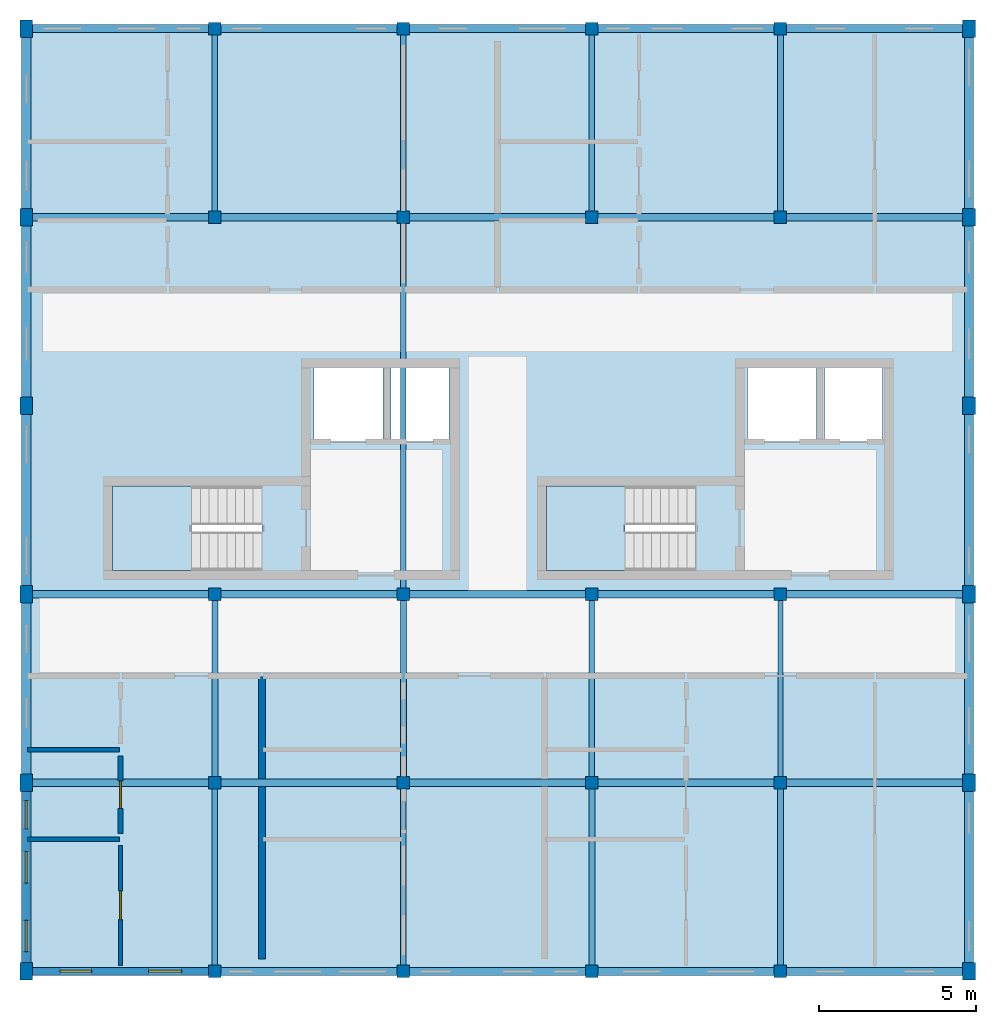
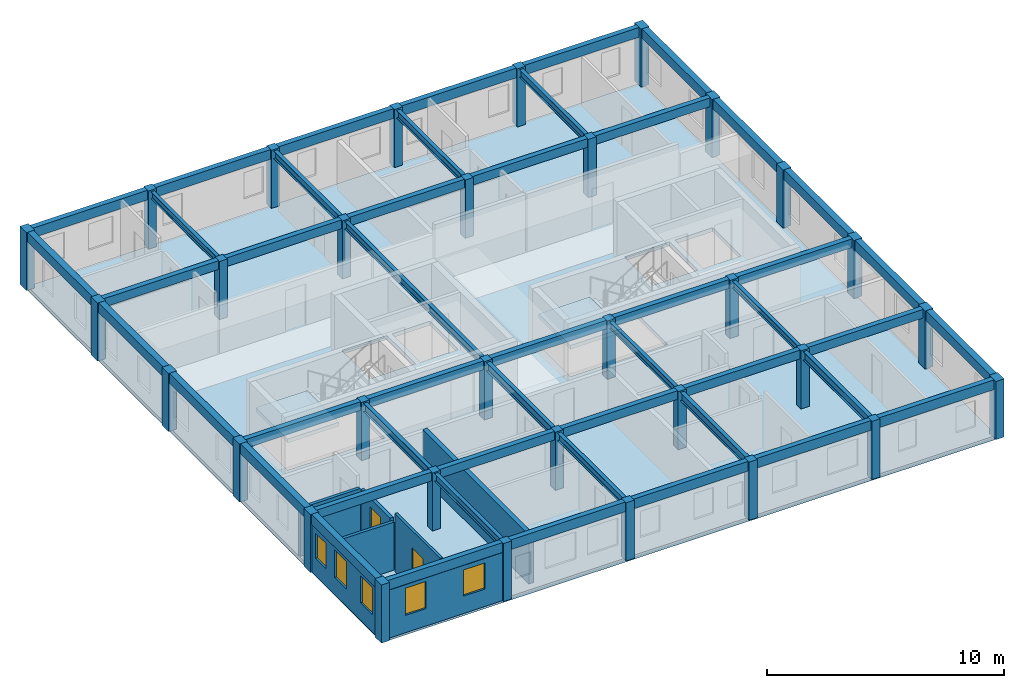
# One storey, part 1 of 7: 48 beams, 32 columns, 7 walls, 5 windows, 3 slabs, 2 doors, 7 openings, 2 elements without a shape of their own.
"""IFC4 building model written with IfcOpenShell, lengths in metres."""

from ifc_helpers import new_model, si_unit, direction, frame, frame_2d, origin, origin_2d, place, context, subcontext, project, spatial, polyline, rectangle, i_section, outline, extrude, material, layer, layer_set, material_profile, profile_set, type_object, element, fill, aggregate, save


model = new_model("IFC4")

# Units and contexts
model_context = context("Model", 3, precision=1e-05, world=origin(), true_north=direction((0.0, 1.0)))
body_context = subcontext(model_context, "Body", "Model", "MODEL_VIEW")
ifc_project = project(units=[si_unit("LENGTHUNIT", "METRE"), si_unit("AREAUNIT", "SQUARE_METRE"), si_unit("VOLUMEUNIT", "CUBIC_METRE"), si_unit("PLANEANGLEUNIT", "RADIAN"), si_unit("MASSUNIT", "GRAM", prefix="KILO"), si_unit("POWERUNIT", "WATT"), si_unit("THERMODYNAMICTEMPERATUREUNIT", "KELVIN")], contexts=[model_context])

# Site, building, storey
site_placement = place(None, origin())
site = spatial("IfcSite", under=ifc_project, at=site_placement, CompositionType="ELEMENT")
building_placement = place(site_placement, origin())
building = spatial("IfcBuilding", under=site, at=building_placement, Name="Ruvembo Vaulted Housing Court", CompositionType="ELEMENT")
storey_placement = place(building_placement, frame((0.0, 0.0, 39.699951171875)))
storey = spatial("IfcBuildingStorey", under=building, at=storey_placement, Name="L12", CompositionType="ELEMENT", Elevation=39.699951171875)

# Columns
ifc_material_1 = material(Name="Concrete C35/45", Category="concrete")
ifc_material_profile_1 = material_profile(ifc_material_1, rectangle(XDim=0.39990234375, YDim=0.39990234375, at=origin_2d()), Name="RC 400x400")
ifc_profile_set_1 = profile_set([ifc_material_profile_1], Name="Concrete C35/45")
column_type_1 = type_object("IfcColumnType", Name="COL-RC-400", PredefinedType="COLUMN", material=ifc_profile_set_1)
for number, where, z_axis, x_axis, name in (
    (1, (6.0, 6.0, 0.0), (0.0, 0.0, 1.0), (1.0, 0.0, 0.0), "L12 Column (6,6)"),
    (2, (6.0, 12.0, 0.0), (0.0, 0.0, 1.0), (1.0, 0.0, 0.0), "L12 Column (6,12)"),
    (3, (6.0, 18.0, 0.0), (0.0, 0.0, 1.0), (1.0, 0.0, 0.0), "L12 Column (6,18)"),
    (4, (6.0, 30.0, 0.0), (0.0, 0.0, 1.0), (1.0, 0.0, 0.0), "L12 Column (6,30)"),
    (5, (6.0, 36.0, 0.0), (0.0, 0.0, 1.0), (1.0, 0.0, 0.0), "L12 Column (6,36)"),
    (6, (12.0, 6.0, 0.0), (0.0, 0.0, 1.0), (1.0, 0.0, 0.0), "L12 Column (12,6)"),
    (7, (12.0, 12.0, 0.0), (0.0, 0.0, 1.0), (1.0, 0.0, 0.0), "L12 Column (12,12)"),
    (8, (12.0, 18.0, 0.0), (0.0, 0.0, 1.0), (1.0, 0.0, 0.0), "L12 Column (12,18)"),
    (9, (12.0, 30.0, 0.0), (0.0, 0.0, 1.0), (1.0, 0.0, 0.0), "L12 Column (12,30)"),
    (10, (12.0, 36.0, 0.0), (0.0, 0.0, 1.0), (1.0, 0.0, 0.0), "L12 Column (12,36)"),
    (11, (18.0, 6.0, 0.0), (0.0, 0.0, 1.0), (1.0, 0.0, 0.0), "L12 Column (18,6)"),
    (12, (18.0, 12.0, 0.0), (0.0, 0.0, 1.0), (1.0, 0.0, 0.0), "L12 Column (18,12)"),
    (13, (18.0, 18.0, 0.0), (0.0, 0.0, 1.0), (1.0, 0.0, 0.0), "L12 Column (18,18)"),
    (14, (18.0, 30.0, 0.0), (0.0, 0.0, 1.0), (1.0, 0.0, 0.0), "L12 Column (18,30)"),
    (15, (18.0, 36.0, 0.0), (0.0, 0.0, 1.0), (1.0, 0.0, 0.0), "L12 Column (18,36)"),
    (16, (24.0, 6.0, 0.0), (0.0, 0.0, 1.0), (1.0, 0.0, 0.0), "L12 Column (24,6)"),
    (17, (24.0, 12.0, 0.0), (0.0, 0.0, 1.0), (1.0, 0.0, 0.0), "L12 Column (24,12)"),
    (18, (24.0, 18.0, 0.0), (0.0, 0.0, 1.0), (1.0, 0.0, 0.0), "L12 Column (24,18)"),
    (19, (24.0, 30.0, 0.0), (0.0, 0.0, 1.0), (1.0, 0.0, 0.0), "L12 Column (24,30)"),
    (20, (24.0, 36.0, 0.0), (0.0, 0.0, 1.0), (1.0, 0.0, 0.0), "L12 Column (24,36)"),
):
    element("IfcColumn", number, at=place(storey_placement, frame(where, z_axis=z_axis, x_axis=x_axis)), inside=storey, type_object=column_type_1, Name=name, PredefinedType="COLUMN", context=body_context, shape_type="SweptSolid", body=[
        extrude(rectangle(XDim=0.39990234375, YDim=0.39990234375, at=origin_2d()), origin(), (0.0, 0.0, 1.0), 3.0),
    ])
ifc_material_profile_2 = material_profile(ifc_material_1, rectangle(XDim=0.39990234375, YDim=0.550048828125, at=origin_2d()), Name="RC 400x550")
ifc_profile_set_2 = profile_set([ifc_material_profile_2], Name="Concrete C35/45")
column_type_2 = type_object("IfcColumnType", Name="COL-RC-400x550", PredefinedType="COLUMN", material=ifc_profile_set_2)
for number, where, z_axis, x_axis, name in (
    (21, (0.0, 6.0, 0.0), (0.0, 0.0, 1.0), (1.0, 0.0, 0.0), "L12 Column (0,6)"),
    (22, (0.0, 12.0, 0.0), (0.0, 0.0, 1.0), (1.0, 0.0, 0.0), "L12 Column (0,12)"),
    (23, (0.0, 18.0, 0.0), (0.0, 0.0, 1.0), (1.0, 0.0, 0.0), "L12 Column (0,18)"),
    (24, (0.0, 24.0, 0.0), (0.0, 0.0, 1.0), (1.0, 0.0, 0.0), "L12 Column (0,24)"),
    (25, (0.0, 30.0, 0.0), (0.0, 0.0, 1.0), (1.0, 0.0, 0.0), "L12 Column (0,30)"),
    (26, (0.0, 36.0, 0.0), (0.0, 0.0, 1.0), (1.0, 0.0, 0.0), "L12 Column (0,36)"),
    (27, (30.0, 6.0, 0.0), (0.0, 0.0, 1.0), (1.0, 0.0, 0.0), "L12 Column (30,6)"),
    (28, (30.0, 12.0, 0.0), (0.0, 0.0, 1.0), (1.0, 0.0, 0.0), "L12 Column (30,12)"),
    (29, (30.0, 18.0, 0.0), (0.0, 0.0, 1.0), (1.0, 0.0, 0.0), "L12 Column (30,18)"),
    (30, (30.0, 24.0, 0.0), (0.0, 0.0, 1.0), (1.0, 0.0, 0.0), "L12 Column (30,24)"),
    (31, (30.0, 30.0, 0.0), (0.0, 0.0, 1.0), (1.0, 0.0, 0.0), "L12 Column (30,30)"),
    (32, (30.0, 36.0, 0.0), (0.0, 0.0, 1.0), (1.0, 0.0, 0.0), "L12 Column (30,36)"),
):
    element("IfcColumn", number, at=place(storey_placement, frame(where, z_axis=z_axis, x_axis=x_axis)), inside=storey, type_object=column_type_2, Name=name, PredefinedType="COLUMN", context=body_context, shape_type="SweptSolid", body=[
        extrude(rectangle(XDim=0.39990234375, YDim=0.550048828125, at=origin_2d()), origin(), (0.0, 0.0, 1.0), 3.0),
    ])

# Beams
ifc_material_2 = material(Name="Concrete C30/37", Category="concrete")
ifc_material_profile_3 = material_profile(ifc_material_2, rectangle(XDim=0.25, YDim=0.449951171875, at=origin_2d()), Name="RC 250x450")
ifc_profile_set_3 = profile_set([ifc_material_profile_3], Name="Concrete C30/37")
beam_type_1 = type_object("IfcBeamType", Name="BM-RC-250x450", PredefinedType="BEAM", material=ifc_profile_set_3)
for number, where, z_axis, x_axis, name in (
    (33, (0.18505859375, 12.0, 2.775146484375), (1.0, 0.0, 0.0), (0.0, 1.0, 0.0), "L12 Grid Beam X #3390"),
    (34, (6.18505859375, 12.0, 2.775146484375), (1.0, 0.0, 0.0), (0.0, 1.0, 0.0), "L12 Grid Beam X #3391"),
    (35, (12.18505859375, 12.0, 2.775146484375), (1.0, 0.0, 0.0), (0.0, 1.0, 0.0), "L12 Grid Beam X #3392"),
    (36, (18.18505859375, 12.0, 2.775146484375), (1.0, 0.0, 0.0), (0.0, 1.0, 0.0), "L12 Grid Beam X #3393"),
    (37, (24.18505859375, 12.0, 2.775146484375), (1.0, 0.0, 0.0), (0.0, 1.0, 0.0), "L12 Grid Beam X #3394"),
    (38, (0.18505859375, 18.0, 2.775146484375), (1.0, 0.0, 0.0), (0.0, 1.0, 0.0), "L12 Grid Beam X #3395"),
    (39, (6.18505859375, 18.0, 2.775146484375), (1.0, 0.0, 0.0), (0.0, 1.0, 0.0), "L12 Grid Beam X #3396"),
    (40, (12.18505859375, 18.0, 2.775146484375), (1.0, 0.0, 0.0), (0.0, 1.0, 0.0), "L12 Grid Beam X #3397"),
    (41, (18.18505859375, 18.0, 2.775146484375), (1.0, 0.0, 0.0), (0.0, 1.0, 0.0), "L12 Grid Beam X #3398"),
    (42, (24.18505859375, 18.0, 2.775146484375), (1.0, 0.0, 0.0), (0.0, 1.0, 0.0), "L12 Grid Beam X #3399"),
    (43, (0.18505859375, 30.0, 2.775146484375), (1.0, 0.0, 0.0), (0.0, 1.0, 0.0), "L12 Grid Beam X #3400"),
    (44, (6.18505859375, 30.0, 2.775146484375), (1.0, 0.0, 0.0), (0.0, 1.0, 0.0), "L12 Grid Beam X #3401"),
    (45, (12.18505859375, 30.0, 2.775146484375), (1.0, 0.0, 0.0), (0.0, 1.0, 0.0), "L12 Grid Beam X #3402"),
    (46, (18.18505859375, 30.0, 2.775146484375), (1.0, 0.0, 0.0), (0.0, 1.0, 0.0), "L12 Grid Beam X #3403"),
    (47, (24.18505859375, 30.0, 2.775146484375), (1.0, 0.0, 0.0), (0.0, 1.0, 0.0), "L12 Grid Beam X #3404"),
):
    element("IfcBeam", number, at=place(storey_placement, frame(where, z_axis=z_axis, x_axis=x_axis)), inside=storey, type_object=beam_type_1, Name=name, PredefinedType="BEAM", context=body_context, shape_type="SweptSolid", body=[
        extrude(rectangle(XDim=0.25, YDim=0.449951171875, at=origin_2d()), origin(), (0.0, 0.0, 1.0), 5.6298828125),
    ])
ifc_material_profile_4 = material_profile(ifc_material_2, rectangle(XDim=0.25, YDim=0.5, at=origin_2d()), Name="RC 250x500")
ifc_profile_set_4 = profile_set([ifc_material_profile_4], Name="Concrete C30/37")
beam_type_2 = type_object("IfcBeamType", Name="BM-RC-250x500", PredefinedType="BEAM", material=ifc_profile_set_4)
for number, where, z_axis, x_axis, name in (
    (48, (0.18505859375, 6.0, 2.75), (1.0, 0.0, 0.0), (0.0, 1.0, 0.0), "L12 Grid Beam X #3385"),
    (49, (6.18505859375, 6.0, 2.75), (1.0, 0.0, 0.0), (0.0, 1.0, 0.0), "L12 Grid Beam X #3386"),
    (50, (12.18505859375, 6.0, 2.75), (1.0, 0.0, 0.0), (0.0, 1.0, 0.0), "L12 Grid Beam X #3387"),
    (51, (18.18505859375, 6.0, 2.75), (1.0, 0.0, 0.0), (0.0, 1.0, 0.0), "L12 Grid Beam X #3388"),
    (52, (24.18505859375, 6.0, 2.75), (1.0, 0.0, 0.0), (0.0, 1.0, 0.0), "L12 Grid Beam X #3389"),
    (53, (0.18505859375, 36.0, 2.75), (1.0, 0.0, 0.0), (0.0, 1.0, 0.0), "L12 Grid Beam X #3405"),
    (54, (6.18505859375, 36.0, 2.75), (1.0, 0.0, 0.0), (0.0, 1.0, 0.0), "L12 Grid Beam X #3406"),
    (55, (12.18505859375, 36.0, 2.75), (1.0, 0.0, 0.0), (0.0, 1.0, 0.0), "L12 Grid Beam X #3407"),
    (56, (18.18505859375, 36.0, 2.75), (1.0, 0.0, 0.0), (0.0, 1.0, 0.0), "L12 Grid Beam X #3408"),
    (57, (24.18505859375, 36.0, 2.75), (1.0, 0.0, 0.0), (0.0, 1.0, 0.0), "L12 Grid Beam X #3409"),
):
    element("IfcBeam", number, at=place(storey_placement, frame(where, z_axis=z_axis, x_axis=x_axis)), inside=storey, type_object=beam_type_2, Name=name, PredefinedType="BEAM", context=body_context, shape_type="SweptSolid", body=[
        extrude(rectangle(XDim=0.25, YDim=0.5, at=origin_2d()), origin(), (0.0, 0.0, 1.0), 5.6298828125),
    ])
ifc_material_3 = material(Name="Steel S355J2", Category="steel")
ifc_material_profile_5 = material_profile(ifc_material_3, i_section(OverallWidth=0.169921875, OverallDepth=0.360107421875, WebThickness=0.008056640625, FlangeThickness=0.0126953125, FilletRadius=0.01806640625, at=origin_2d()), Name="IPE 360")
ifc_profile_set_5 = profile_set([ifc_material_profile_5], Name="Steel S355J2")
beam_type_3 = type_object("IfcBeamType", Name="BM-ST-IPE360", PredefinedType="BEAM", material=ifc_profile_set_5)
for number, where, z_axis, x_axis, name in (
    (58, (6.0, 30.18505859375, 2.74609375), (0.0, 1.0, 0.0), (-1.0, 0.0, 0.0), "L12 Grid Beam Y #3417"),
    (59, (18.0, 12.18505859375, 2.74609375), (0.0, 1.0, 0.0), (-1.0, 0.0, 0.0), "L12 Grid Beam Y #3423"),
    (60, (24.0, 12.18505859375, 2.74609375), (0.0, 1.0, 0.0), (-1.0, 0.0, 0.0), "L12 Grid Beam Y #3426"),
):
    element("IfcBeam", number, at=place(storey_placement, frame(where, z_axis=z_axis, x_axis=x_axis)), inside=storey, type_object=beam_type_3, Name=name, PredefinedType="BEAM", context=body_context, shape_type="SweptSolid", body=[
        extrude(i_section(OverallWidth=0.169921875, OverallDepth=0.360107421875, WebThickness=0.008056640625, FlangeThickness=0.0126953125, FilletRadius=0.01806640625, at=origin_2d()), origin(), (0.0, 0.0, 1.0), 5.6298828125),
    ])
ifc_material_profile_6 = material_profile(ifc_material_3, i_section(OverallWidth=0.179931640625, OverallDepth=0.39990234375, WebThickness=0.008544921875, FlangeThickness=0.013427734375, FilletRadius=0.02099609375, at=origin_2d()), Name="IPE 400")
ifc_profile_set_6 = profile_set([ifc_material_profile_6], Name="Steel S355J2")
beam_type_4 = type_object("IfcBeamType", Name="BM-ST-IPE400", PredefinedType="BEAM", material=ifc_profile_set_6)
for number, where, z_axis, x_axis, name in (
    (61, (6.0, 6.18505859375, 2.72607421875), (0.0, 1.0, 0.0), (-1.0, 0.0, 0.0), "L12 Grid Beam Y #3415"),
    (62, (12.0, 6.18505859375, 2.72607421875), (0.0, 1.0, 0.0), (-1.0, 0.0, 0.0), "L12 Grid Beam Y #3418"),
):
    element("IfcBeam", number, at=place(storey_placement, frame(where, z_axis=z_axis, x_axis=x_axis)), inside=storey, type_object=beam_type_4, Name=name, PredefinedType="BEAM", context=body_context, shape_type="SweptSolid", body=[
        extrude(i_section(OverallWidth=0.179931640625, OverallDepth=0.39990234375, WebThickness=0.008544921875, FlangeThickness=0.013427734375, FilletRadius=0.02099609375, at=origin_2d()), origin(), (0.0, 0.0, 1.0), 5.6298828125),
    ])
beam_placement = place(storey_placement, frame((12.0, 18.18505859375, 2.72607421875), z_axis=(0.0, 1.0, 0.0), x_axis=(-1.0, 0.0, 0.0)))
element("IfcBeam", 63, at=beam_placement, inside=storey, type_object=beam_type_4, Name="L12 Grid Beam Y #3420", PredefinedType="BEAM", context=body_context, shape_type="SweptSolid", body=[
    extrude(i_section(OverallWidth=0.179931640625, OverallDepth=0.39990234375, WebThickness=0.008544921875, FlangeThickness=0.013427734375, FilletRadius=0.02099609375, at=origin_2d()), origin(), (0.0, 0.0, 1.0), 11.6298828125),
])
for number, where, z_axis, x_axis, name in (
    (64, (12.0, 30.18505859375, 2.72607421875), (0.0, 1.0, 0.0), (-1.0, 0.0, 0.0), "L12 Grid Beam Y #3421"),
    (65, (18.0, 30.18505859375, 2.72607421875), (0.0, 1.0, 0.0), (-1.0, 0.0, 0.0), "L12 Grid Beam Y #3424"),
    (66, (24.0, 30.18505859375, 2.72607421875), (0.0, 1.0, 0.0), (-1.0, 0.0, 0.0), "L12 Grid Beam Y #3427"),
):
    element("IfcBeam", number, at=place(storey_placement, frame(where, z_axis=z_axis, x_axis=x_axis)), inside=storey, type_object=beam_type_4, Name=name, PredefinedType="BEAM", context=body_context, shape_type="SweptSolid", body=[
        extrude(i_section(OverallWidth=0.179931640625, OverallDepth=0.39990234375, WebThickness=0.008544921875, FlangeThickness=0.013427734375, FilletRadius=0.02099609375, at=origin_2d()), origin(), (0.0, 0.0, 1.0), 5.6298828125),
    ])
ifc_material_profile_7 = material_profile(ifc_material_3, i_section(OverallWidth=0.18994140625, OverallDepth=0.449951171875, WebThickness=0.009521484375, FlangeThickness=0.0146484375, FilletRadius=0.02099609375, at=origin_2d()), Name="IPE 450")
ifc_profile_set_7 = profile_set([ifc_material_profile_7], Name="Steel S355J2")
beam_type_5 = type_object("IfcBeamType", Name="BM-ST-IPE450", PredefinedType="BEAM", material=ifc_profile_set_7)
for number, where, z_axis, x_axis, name in (
    (67, (6.0, 12.18505859375, 2.700927734375), (0.0, 1.0, 0.0), (-1.0, 0.0, 0.0), "L12 Grid Beam Y #3416"),
    (68, (12.0, 12.18505859375, 2.700927734375), (0.0, 1.0, 0.0), (-1.0, 0.0, 0.0), "L12 Grid Beam Y #3419"),
    (69, (18.0, 6.18505859375, 2.700927734375), (0.0, 1.0, 0.0), (-1.0, 0.0, 0.0), "L12 Grid Beam Y #3422"),
    (70, (24.0, 6.18505859375, 2.700927734375), (0.0, 1.0, 0.0), (-1.0, 0.0, 0.0), "L12 Grid Beam Y #3425"),
):
    element("IfcBeam", number, at=place(storey_placement, frame(where, z_axis=z_axis, x_axis=x_axis)), inside=storey, type_object=beam_type_5, Name=name, PredefinedType="BEAM", context=body_context, shape_type="SweptSolid", body=[
        extrude(i_section(OverallWidth=0.18994140625, OverallDepth=0.449951171875, WebThickness=0.009521484375, FlangeThickness=0.0146484375, FilletRadius=0.02099609375, at=origin_2d()), origin(), (0.0, 0.0, 1.0), 5.6298828125),
    ])
ifc_material_profile_8 = material_profile(ifc_material_1, rectangle(XDim=0.300048828125, YDim=0.5, at=origin_2d()), Name="RC 300x500")
ifc_profile_set_8 = profile_set([ifc_material_profile_8], Name="Concrete C35/45")
beam_type_6 = type_object("IfcBeamType", Name="SP-RC-300x500", PredefinedType="SPANDREL", material=ifc_profile_set_8)
for number, where, z_axis, x_axis, name in (
    (71, (0.0, 6.260009765625, 2.75), (0.0, 1.0, 0.0), (-1.0, 0.0, 0.0), "L12 Grid Beam Y #3410"),
    (72, (0.0, 12.260009765625, 2.75), (0.0, 1.0, 0.0), (-1.0, 0.0, 0.0), "L12 Grid Beam Y #3411"),
    (73, (0.0, 18.260009765625, 2.75), (0.0, 1.0, 0.0), (-1.0, 0.0, 0.0), "L12 Grid Beam Y #3412"),
    (74, (0.0, 24.260009765625, 2.75), (0.0, 1.0, 0.0), (-1.0, 0.0, 0.0), "L12 Grid Beam Y #3413"),
    (75, (0.0, 30.260009765625, 2.75), (0.0, 1.0, 0.0), (-1.0, 0.0, 0.0), "L12 Grid Beam Y #3414"),
    (76, (30.0, 6.260009765625, 2.75), (0.0, 1.0, 0.0), (-1.0, 0.0, 0.0), "L12 Grid Beam Y #3428"),
    (77, (30.0, 12.260009765625, 2.75), (0.0, 1.0, 0.0), (-1.0, 0.0, 0.0), "L12 Grid Beam Y #3429"),
    (78, (30.0, 18.260009765625, 2.75), (0.0, 1.0, 0.0), (-1.0, 0.0, 0.0), "L12 Grid Beam Y #3430"),
    (79, (30.0, 24.260009765625, 2.75), (0.0, 1.0, 0.0), (-1.0, 0.0, 0.0), "L12 Grid Beam Y #3431"),
    (80, (30.0, 30.260009765625, 2.75), (0.0, 1.0, 0.0), (-1.0, 0.0, 0.0), "L12 Grid Beam Y #3432"),
):
    element("IfcBeam", number, at=place(storey_placement, frame(where, z_axis=z_axis, x_axis=x_axis)), inside=storey, type_object=beam_type_6, Name=name, PredefinedType="SPANDREL", context=body_context, shape_type="SweptSolid", body=[
        extrude(rectangle(XDim=0.300048828125, YDim=0.5, at=origin_2d()), origin(), (0.0, 0.0, 1.0), 5.47998046875),
    ])

# Slab
ifc_layer_1 = layer(ifc_material_2, 0.205078125, Name="Concrete C30/37")
ifc_layer_set_1 = layer_set([ifc_layer_1], Name="Concrete C30/37")
slab_type_1 = type_object("IfcSlabType", Name="SL-FLR-205", PredefinedType="FLOOR", material=ifc_layer_set_1)
slab_1_placement = place(storey_placement, frame((0.0, 0.0, -0.204833984375)))
element("IfcSlab", 81, at=slab_1_placement, inside=storey, type_object=slab_type_1, Name="Block A L12 Structural Floor Slab", PredefinedType="FLOOR", context=body_context, shape_type="SweptSolid", body=[
    extrude(outline(polyline([(30.0, 6.0), (30.0, 36.0), (0.0, 36.0), (0.0, 6.0), (30.0, 6.0)]), holes=[polyline([(7.5, 21.449951171875), (2.75, 21.449951171875), (2.75, 18.75), (7.5, 18.75), (7.5, 21.449951171875)]), polyline([(9.14990234375, 22.85009765625), (11.35009765625, 22.85009765625), (11.35009765625, 25.25), (9.14990234375, 25.25), (9.14990234375, 22.85009765625)]), polyline([(11.60009765625, 22.85009765625), (13.449951171875, 22.85009765625), (13.449951171875, 25.25), (11.60009765625, 25.25), (11.60009765625, 22.85009765625)]), polyline([(21.300048828125, 21.449951171875), (16.550048828125, 21.449951171875), (16.550048828125, 18.75), (21.300048828125, 18.75), (21.300048828125, 21.449951171875)]), polyline([(22.949951171875, 22.85009765625), (25.14990234375, 22.85009765625), (25.14990234375, 25.25), (22.949951171875, 25.25), (22.949951171875, 22.85009765625)]), polyline([(25.39990234375, 22.85009765625), (27.25, 22.85009765625), (27.25, 25.25), (25.39990234375, 25.25), (25.39990234375, 22.85009765625)])]), origin(), (0.0, 0.0, 1.0), 0.204833984375),
])

# Stair, slab
stair_type = type_object("IfcStairType", Name="STR-CORE-1250", PredefinedType="HALF_TURN_STAIR", material=ifc_material_1)
stair_1_placement = place(storey_placement, origin())
stair_1 = element("IfcStair", 82, at=stair_1_placement, inside=storey, type_object=stair_type, Name="L12 Protected Exit Stair ST-A1", PredefinedType="HALF_TURN_STAIR")
ifc_layer_2 = layer(ifc_material_2, 0.201904296875, Name="Concrete C30/37")
ifc_layer_set_2 = layer_set([ifc_layer_2], Name="Concrete C30/37")
slab_type_2 = type_object("IfcSlabType", Name="SL-LAND-202", PredefinedType="LANDING", material=ifc_layer_set_2)
slab_2_placement = place(storey_placement, frame((0.0, 0.0, 1.400146484375)))
slab_2 = element("IfcSlab", 83, at=slab_2_placement, type_object=slab_type_2, Name="ST-A1 landing 1", PredefinedType="LANDING", context=body_context, shape_type="SweptSolid", body=[
    extrude(outline(polyline([(5.260009765625, 21.449951171875), (2.75, 21.449951171875), (2.75, 18.75), (5.260009765625, 18.75), (5.260009765625, 21.449951171875)])), origin(), (0.0, 0.0, 1.0), 0.199951171875),
])
aggregate(stair_1, [slab_2])

stair_2_placement = place(storey_placement, origin())
stair_2 = element("IfcStair", 84, at=stair_2_placement, inside=storey, type_object=stair_type, Name="L12 Protected Exit Stair ST-A2", PredefinedType="HALF_TURN_STAIR")
slab_3_placement = place(storey_placement, frame((0.0, 0.0, 1.400146484375)))
slab_3 = element("IfcSlab", 85, at=slab_3_placement, type_object=slab_type_2, Name="ST-A2 landing 1", PredefinedType="LANDING", context=body_context, shape_type="SweptSolid", body=[
    extrude(outline(polyline([(19.06005859375, 21.449951171875), (16.550048828125, 21.449951171875), (16.550048828125, 18.75), (19.06005859375, 18.75), (19.06005859375, 21.449951171875)])), origin(), (0.0, 0.0, 1.0), 0.199951171875),
])
aggregate(stair_2, [slab_3])

# Wall
ifc_material_4 = material(Name="Acoustic Masonry Demising 220", Category="masonry")
ifc_layer_3 = layer(ifc_material_4, 0.219970703125, Name="Acoustic Masonry Demising 220")
ifc_layer_set_3 = layer_set([ifc_layer_3], Name="Acoustic Masonry Demising 220")
wall_type_1 = type_object("IfcWallType", Name="WL-DEM-200", PredefinedType="SOLIDWALL", material=ifc_layer_set_3)
wall_1_placement = place(storey_placement, frame((7.5, 6.389892578125, 0.0), z_axis=(0.0, 0.0, 1.0), x_axis=(0.0, 1.0, 0.0)))
element("IfcWall", 86, at=wall_1_placement, inside=storey, type_object=wall_type_1, Name="L12 Demising A-L12-S1 WL-INT-L12-02306", PredefinedType="SOLIDWALL", context=body_context, shape_type="SweptSolid", body=[
    extrude(rectangle(XDim=8.97021484375, YDim=0.219970703125, at=frame_2d((4.485107421875, 0.0))), origin(), (0.0, 0.0, 1.0), 2.531982421875),
])

# Wall, openings, windows
ifc_material_5 = material(Name="Rendered Masonry 235", Category="masonry")
ifc_layer_4 = layer(ifc_material_5, 0.235107421875, Name="Rendered Masonry 235")
ifc_layer_set_4 = layer_set([ifc_layer_4], Name="Rendered Masonry 235")
wall_type_2 = type_object("IfcWallType", Name="WL-EXT-235", PredefinedType="STANDARD", material=ifc_layer_set_4)
wall_2_placement = place(storey_placement, frame((0.199951171875, 6.0, 0.0), z_axis=(0.0, 0.0, 1.0), x_axis=(1.0, 0.0, 0.0)))
wall_2 = element("IfcWall", 87, at=wall_2_placement, inside=storey, type_object=wall_type_2, Name="Block A L12 Exterior Wall STREET #1", PredefinedType="STANDARD", context=body_context, shape_type="SweptSolid", body=[
    extrude(rectangle(XDim=5.60009765625, YDim=0.235107421875, at=frame_2d((2.800048828125, 0.0))), origin(), (0.0, 0.0, 1.0), 2.48193359375),
])
opening_1_placement = place(wall_2_placement, frame((0.8798828125, 0.0, 0.89990234375)))
opening_1 = element("IfcOpeningElement", 88, at=opening_1_placement, cuts=wall_2, Name="Opening W08", PredefinedType="OPENING", context=body_context, shape_type="SweptSolid", body=[
    extrude(rectangle(XDim=1.0, YDim=1.39990234375, at=frame_2d((0.5, 0.699951171875))), frame((0.0, 0.12744140625, 0.0), z_axis=(0.0, -1.0, 0.0), x_axis=(1.0, 0.0, 0.0)), (0.0, 0.0, 1.0), 0.255126953125),
])
opening_2_placement = place(wall_2_placement, frame((3.695068359375, 0.0, 0.89990234375)))
opening_2 = element("IfcOpeningElement", 89, at=opening_2_placement, cuts=wall_2, Name="Opening W09", PredefinedType="OPENING", context=body_context, shape_type="SweptSolid", body=[
    extrude(rectangle(XDim=1.050048828125, YDim=1.35009765625, at=frame_2d((0.52490234375, 0.675048828125))), frame((0.0, 0.12744140625, 0.0), z_axis=(0.0, -1.0, 0.0), x_axis=(1.0, 0.0, 0.0)), (0.0, 0.0, 1.0), 0.255126953125),
])
ifc_material_6 = material(Name="Double Solar-Control Glazing in Aluminium Frame", Category="aluminium")
window_type_1 = type_object("IfcWindowType", Name="WIN-1000x1400", PartitioningType="SINGLE_PANEL", PredefinedType="WINDOW", material=ifc_material_6)
window_1_placement = place(opening_1_placement, origin())
window_1 = element("IfcWindow", 90, at=window_1_placement, inside=storey, type_object=window_type_1, Name="Block A L12 Window #512", OverallHeight=1.39990234375, OverallWidth=1.0, PartitioningType="SINGLE_PANEL", PredefinedType="WINDOW", context=body_context, shape_type="SweptSolid", body=[
    extrude(rectangle(XDim=1.0, YDim=1.39990234375, at=frame_2d((0.5, 0.699951171875))), frame((0.0, 0.030029296875, 0.0), z_axis=(0.0, -1.0, 0.0), x_axis=(1.0, 0.0, 0.0)), (0.0, 0.0, 1.0), 0.06005859375),
])
fill(opening_1, window_1)
window_type_2 = type_object("IfcWindowType", Name="WIN-1050x1350", PartitioningType="SINGLE_PANEL", PredefinedType="WINDOW", material=ifc_material_6)
window_2_placement = place(opening_2_placement, origin())
window_2 = element("IfcWindow", 91, at=window_2_placement, inside=storey, type_object=window_type_2, Name="Block A L12 Window #513", OverallHeight=1.35009765625, OverallWidth=1.050048828125, PartitioningType="SINGLE_PANEL", PredefinedType="WINDOW", context=body_context, shape_type="SweptSolid", body=[
    extrude(rectangle(XDim=1.050048828125, YDim=1.35009765625, at=frame_2d((0.52490234375, 0.675048828125))), frame((0.0, 0.030029296875, 0.0), z_axis=(0.0, -1.0, 0.0), x_axis=(1.0, 0.0, 0.0)), (0.0, 0.0, 1.0), 0.06005859375),
])
fill(opening_2, window_2)

wall_3_placement = place(storey_placement, frame((0.0, 11.72509765625, 0.0), z_axis=(0.0, 0.0, 1.0), x_axis=(0.0, -1.0, 0.0)))
wall_3 = element("IfcWall", 92, at=wall_3_placement, inside=storey, type_object=wall_type_2, Name="Block A L12 Exterior Wall WEST #5", PredefinedType="STANDARD", context=body_context, shape_type="SweptSolid", body=[
    extrude(rectangle(XDim=5.4501953125, YDim=0.235107421875, at=frame_2d((2.72509765625, 0.0))), origin(), (0.0, 0.0, 1.0), 2.48193359375),
])
opening_3_placement = place(wall_3_placement, frame((0.29248046875, 0.0, 0.89990234375)))
opening_3 = element("IfcOpeningElement", 93, at=opening_3_placement, cuts=wall_3, Name="Opening W04", PredefinedType="OPENING", context=body_context, shape_type="SweptSolid", body=[
    extrude(rectangle(XDim=0.89990234375, YDim=1.300048828125, at=frame_2d((0.449951171875, 0.64990234375))), frame((0.0, 0.12744140625, 0.0), z_axis=(0.0, -1.0, 0.0), x_axis=(1.0, 0.0, 0.0)), (0.0, 0.0, 1.0), 0.255126953125),
])
opening_4_placement = place(wall_3_placement, frame((1.9150390625, 0.0, 0.89990234375)))
opening_4 = element("IfcOpeningElement", 94, at=opening_4_placement, cuts=wall_3, Name="Opening W08", PredefinedType="OPENING", context=body_context, shape_type="SweptSolid", body=[
    extrude(rectangle(XDim=1.0, YDim=1.39990234375, at=frame_2d((0.5, 0.699951171875))), frame((0.0, 0.12744140625, 0.0), z_axis=(0.0, -1.0, 0.0), x_axis=(1.0, 0.0, 0.0)), (0.0, 0.0, 1.0), 0.255126953125),
])
opening_5_placement = place(wall_3_placement, frame((4.10009765625, 0.0, 0.89990234375)))
opening_5 = element("IfcOpeningElement", 95, at=opening_5_placement, cuts=wall_3, Name="Opening W08", PredefinedType="OPENING", context=body_context, shape_type="SweptSolid", body=[
    extrude(rectangle(XDim=1.0, YDim=1.39990234375, at=frame_2d((0.5, 0.699951171875))), frame((0.0, 0.12744140625, 0.0), z_axis=(0.0, -1.0, 0.0), x_axis=(1.0, 0.0, 0.0)), (0.0, 0.0, 1.0), 0.255126953125),
])
window_type_3 = type_object("IfcWindowType", Name="WIN-0900x1300", PartitioningType="SINGLE_PANEL", PredefinedType="WINDOW", material=ifc_material_6)
window_3_placement = place(opening_3_placement, origin())
window_3 = element("IfcWindow", 96, at=window_3_placement, inside=storey, type_object=window_type_3, Name="Block A L12 Window #554", OverallHeight=1.300048828125, OverallWidth=0.89990234375, PartitioningType="SINGLE_PANEL", PredefinedType="WINDOW", context=body_context, shape_type="SweptSolid", body=[
    extrude(rectangle(XDim=0.89990234375, YDim=1.300048828125, at=frame_2d((0.449951171875, 0.64990234375))), frame((0.0, 0.030029296875, 0.0), z_axis=(0.0, -1.0, 0.0), x_axis=(1.0, 0.0, 0.0)), (0.0, 0.0, 1.0), 0.06005859375),
])
fill(opening_3, window_3)
window_4_placement = place(opening_4_placement, origin())
window_4 = element("IfcWindow", 97, at=window_4_placement, inside=storey, type_object=window_type_1, Name="Block A L12 Window #555", OverallHeight=1.39990234375, OverallWidth=1.0, PartitioningType="SINGLE_PANEL", PredefinedType="WINDOW", context=body_context, shape_type="SweptSolid", body=[
    extrude(rectangle(XDim=1.0, YDim=1.39990234375, at=frame_2d((0.5, 0.699951171875))), frame((0.0, 0.030029296875, 0.0), z_axis=(0.0, -1.0, 0.0), x_axis=(1.0, 0.0, 0.0)), (0.0, 0.0, 1.0), 0.06005859375),
])
fill(opening_4, window_4)
window_5_placement = place(opening_5_placement, origin())
window_5 = element("IfcWindow", 98, at=window_5_placement, inside=storey, type_object=window_type_1, Name="Block A L12 Window #556", OverallHeight=1.39990234375, OverallWidth=1.0, PartitioningType="SINGLE_PANEL", PredefinedType="WINDOW", context=body_context, shape_type="SweptSolid", body=[
    extrude(rectangle(XDim=1.0, YDim=1.39990234375, at=frame_2d((0.5, 0.699951171875))), frame((0.0, 0.030029296875, 0.0), z_axis=(0.0, -1.0, 0.0), x_axis=(1.0, 0.0, 0.0)), (0.0, 0.0, 1.0), 0.06005859375),
])
fill(opening_5, window_5)

# Wall, opening, door
ifc_material_7 = material(Name="Plasterboard Stud Partition 125", Category="gypsum")
ifc_layer_5 = layer(ifc_material_7, 0.125, Name="Plasterboard Stud Partition 125")
ifc_layer_set_5 = layer_set([ifc_layer_5], Name="Plasterboard Stud Partition 125")
wall_type_3 = type_object("IfcWallType", Name="WL-PART-125", PredefinedType="PARTITIONING", material=ifc_layer_set_5)
wall_4_placement = place(storey_placement, frame((3.0, 6.18994140625, 0.0), z_axis=(0.0, 0.0, 1.0), x_axis=(0.0, 1.0, 0.0)))
wall_4 = element("IfcWall", 99, at=wall_4_placement, inside=storey, type_object=wall_type_3, Name="L12 Flat A-L12-S1 Bedroom 1 WL-INT-L12-02309", PredefinedType="PARTITIONING", context=body_context, shape_type="SweptSolid", body=[
    extrude(rectangle(XDim=3.820068359375, YDim=0.125, at=frame_2d((1.91015625, 0.0))), origin(), (0.0, 0.0, 1.0), 3.0),
])
opening_6_placement = place(wall_4_placement, frame((1.4599609375, 0.0, 0.0)))
opening_6 = element("IfcOpeningElement", 100, at=opening_6_placement, cuts=wall_4, Name="Opening ID1", PredefinedType="OPENING", context=body_context, shape_type="SweptSolid", body=[
    extrude(rectangle(XDim=0.89990234375, YDim=2.10009765625, at=frame_2d((0.449951171875, 1.050048828125))), frame((0.0, 0.072509765625, 0.0), z_axis=(0.0, -1.0, 0.0), x_axis=(1.0, 0.0, 0.0)), (0.0, 0.0, 1.0), 0.14501953125),
])
ifc_material_8 = material(Name="FSC Hardwood and Engineered Timber", Category="wood")
door_type_1 = type_object("IfcDoorType", Name="DR-ROOM-0900x2100", OperationType="NOTDEFINED", PredefinedType="DOOR", material=ifc_material_8)
door_1_placement = place(opening_6_placement, origin())
door_1 = element("IfcDoor", 101, at=door_1_placement, inside=storey, type_object=door_type_1, Name="L12 Flat A-L12-S1 Bedroom 1 Door DR-INT-L12-01278", OperationType="SINGLE_SWING_RIGHT", OverallHeight=2.10009765625, OverallWidth=0.89990234375, PredefinedType="DOOR", context=body_context, shape_type="SweptSolid", body=[
    extrude(rectangle(XDim=0.89990234375, YDim=2.10009765625, at=frame_2d((0.449951171875, 1.050048828125))), frame((0.0, 0.02490234375, 0.0), z_axis=(0.0, -1.0, 0.0), x_axis=(1.0, 0.0, 0.0)), (0.0, 0.0, 1.0), 0.050048828125),
])
fill(opening_6, door_1)

# Walls
ifc_material_9 = material(Name="Moisture-Resistant Wet Partition 150", Category="gypsum")
ifc_layer_6 = layer(ifc_material_9, 0.14990234375, Name="Moisture-Resistant Wet Partition 150")
ifc_layer_set_6 = layer_set([ifc_layer_6], Name="Moisture-Resistant Wet Partition 150")
wall_type_4 = type_object("IfcWallType", Name="WL-PART-150", PredefinedType="PARTITIONING", material=ifc_layer_set_6)
for number, where, z_axis, x_axis, name in (
    (102, (0.0400390625, 10.199951171875, 0.0), (0.0, 0.0, 1.0), (1.0, 0.0, 0.0), "L12 Flat A-L12-S1 Wet Wall 1 WL-INT-L12-02312"),
    (103, (0.0400390625, 13.050048828125, 0.0), (0.0, 0.0, 1.0), (1.0, 0.0, 0.0), "L12 Flat A-L12-S1 Wet Wall 2 WL-INT-L12-02313"),
):
    element("IfcWall", number, at=place(storey_placement, frame(where, z_axis=z_axis, x_axis=x_axis)), inside=storey, type_object=wall_type_4, Name=name, PredefinedType="PARTITIONING", context=body_context, shape_type="SweptSolid", body=[
        extrude(rectangle(XDim=2.919921875, YDim=0.14990234375, at=frame_2d((1.4599609375, 0.0))), origin(), (0.0, 0.0, 1.0), 2.48193359375),
    ])

# Wall, opening, door
ifc_material_10 = material(Name="Acoustic Service Chase Wall 160", Category="gypsum")
ifc_layer_7 = layer(ifc_material_10, 0.159912109375, Name="Acoustic Service Chase Wall 160")
ifc_layer_set_7 = layer_set([ifc_layer_7], Name="Acoustic Service Chase Wall 160")
wall_type_5 = type_object("IfcWallType", Name="WL-PLUMB-160", PredefinedType="PLUMBINGWALL", material=ifc_layer_set_7)
wall_5_placement = place(storey_placement, frame((3.0, 10.389892578125, 0.0), z_axis=(0.0, 0.0, 1.0), x_axis=(0.0, 1.0, 0.0)))
wall_5 = element("IfcWall", 104, at=wall_5_placement, inside=storey, type_object=wall_type_5, Name="L12 Flat A-L12-S1 Kitchen WL-INT-L12-02310", PredefinedType="PLUMBINGWALL", context=body_context, shape_type="SweptSolid", body=[
    extrude(rectangle(XDim=2.47021484375, YDim=0.159912109375, at=frame_2d((1.235107421875, 0.0))), origin(), (0.0, 0.0, 1.0), 2.531982421875),
])
opening_7_placement = place(wall_5_placement, frame((0.794921875, 0.0, 0.0)))
opening_7 = element("IfcOpeningElement", 105, at=opening_7_placement, cuts=wall_5, Name="Opening ID3", PredefinedType="OPENING", context=body_context, shape_type="SweptSolid", body=[
    extrude(rectangle(XDim=0.8798828125, YDim=2.10009765625, at=frame_2d((0.43994140625, 1.050048828125))), frame((0.0, 0.08984375, 0.0), z_axis=(0.0, -1.0, 0.0), x_axis=(1.0, 0.0, 0.0)), (0.0, 0.0, 1.0), 0.179931640625),
])
door_type_2 = type_object("IfcDoorType", Name="DR-ROOM-0880x2100", OperationType="NOTDEFINED", PredefinedType="DOOR", material=ifc_material_8)
door_2_placement = place(opening_7_placement, origin())
door_2 = element("IfcDoor", 106, at=door_2_placement, inside=storey, type_object=door_type_2, Name="L12 Flat A-L12-S1 Kitchen Door DR-INT-L12-01279", OperationType="SINGLE_SWING_LEFT", OverallHeight=2.10009765625, OverallWidth=0.8798828125, PredefinedType="DOOR", context=body_context, shape_type="SweptSolid", body=[
    extrude(rectangle(XDim=0.8798828125, YDim=2.10009765625, at=frame_2d((0.43994140625, 1.050048828125))), frame((0.0, 0.02490234375, 0.0), z_axis=(0.0, -1.0, 0.0), x_axis=(1.0, 0.0, 0.0)), (0.0, 0.0, 1.0), 0.050048828125),
])
fill(opening_7, door_2)

save(model, "model.ifc")
